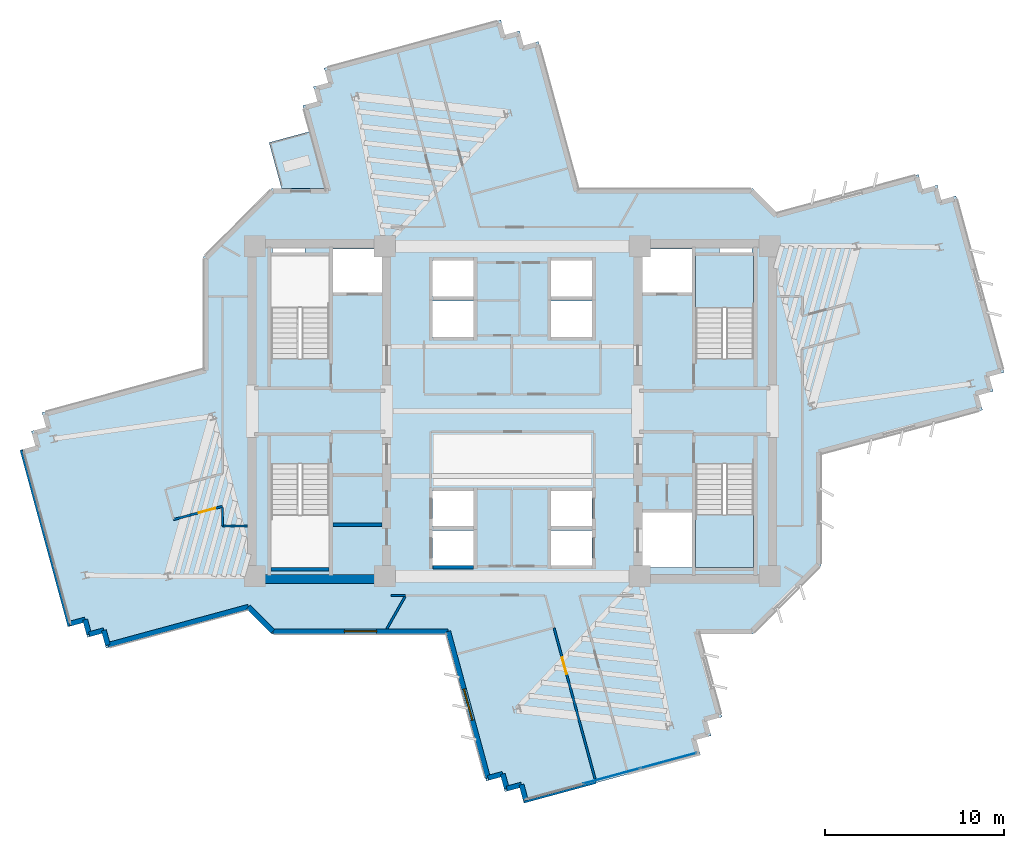
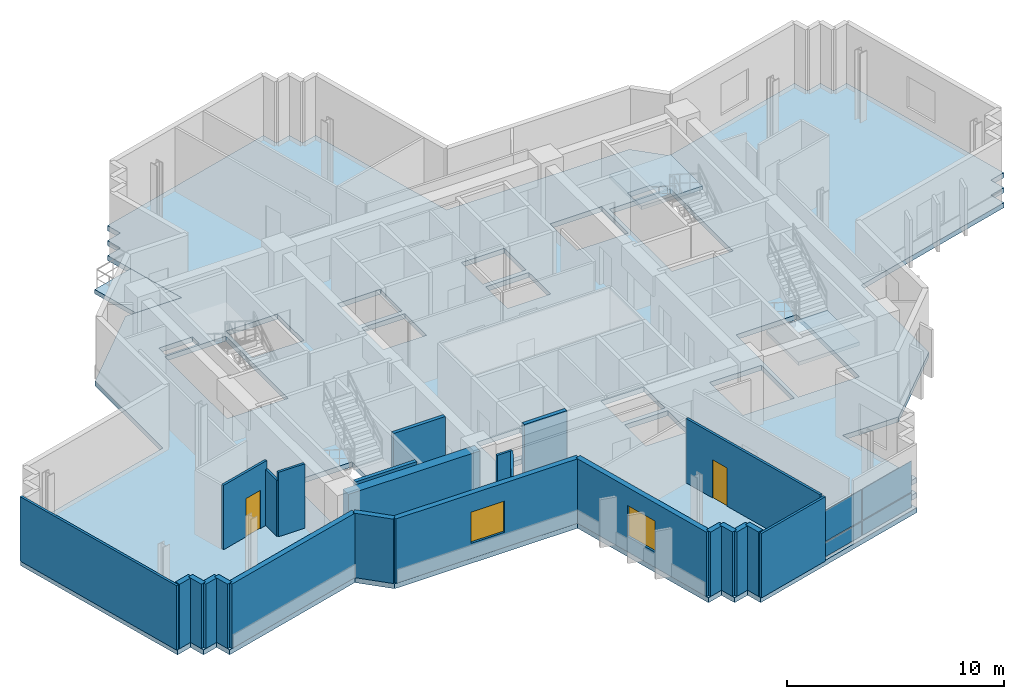
# One storey, part 7 of 15: 24 walls, 4 plates, 4 slabs, 2 doors, 2 windows, 4 openings, 3 elements without a shape of their own.
"""IFC4 building model written with IfcOpenShell, lengths in metres."""

from ifc_helpers import new_model, si_unit, direction, frame, frame_2d, origin, origin_2d, place, context, subcontext, project, spatial, polyline, rectangle, outline, extrude, source, transform, mapped, material, layer, layer_set, type_object, element, fill, aggregate, save


model = new_model("IFC4")

# Units and contexts
model_context = context("Model", 3, precision=1e-05, world=origin(), true_north=direction((0.0, 1.0)))
body_context = subcontext(model_context, "Body", "Model", "MODEL_VIEW")
ifc_project = project(units=[si_unit("LENGTHUNIT", "METRE"), si_unit("AREAUNIT", "SQUARE_METRE"), si_unit("VOLUMEUNIT", "CUBIC_METRE"), si_unit("PLANEANGLEUNIT", "RADIAN"), si_unit("MASSUNIT", "GRAM", prefix="KILO")], contexts=[model_context])

# Site, building, storey
site_placement = place(None, origin())
site = spatial("IfcSite", under=ifc_project, at=site_placement, CompositionType="ELEMENT")
building_placement = place(site_placement, origin())
building = spatial("IfcBuilding", under=site, at=building_placement, Name="Zahravan Cultural Tower", CompositionType="ELEMENT")
storey_placement = place(building_placement, frame((0.0, 0.0, 194.10009765625)))
storey = spatial("IfcBuildingStorey", under=building, at=storey_placement, Name="L45", CompositionType="ELEMENT", Elevation=194.10009765625)

# Slab
ifc_material_1 = material(Name="Concrete C45/55", Category="concrete")
ifc_layer_1 = layer(ifc_material_1, 0.280029296875)
ifc_layer_set_1 = layer_set([ifc_layer_1], Name="Concrete C45/55")
slab_type_1 = type_object("IfcSlabType", Name="SL-LIB-280", PredefinedType="FLOOR", material=ifc_layer_set_1)
slab_1_placement = place(storey_placement, frame((0.0, 0.0, -0.280029296875)))
element("IfcSlab", 1, at=slab_1_placement, inside=storey, type_object=slab_type_1, Name="L45 Structural Floor Slab", PredefinedType="FLOOR", context=body_context, shape_type="SweptSolid", body=[
    extrude(outline(polyline([(50.746826171875, 38.05322265625), (49.39990234375, 39.39990234375), (39.677490234375, 39.39990234375), (37.449462890625, 47.6005859375), (36.629150390625, 47.377685546875), (36.40625, 48.197998046875), (35.5859375, 47.975341796875), (35.36328125, 48.79541015625), (25.52001953125, 46.12109375), (25.742919921875, 45.30078125), (24.922607421875, 45.078125), (25.1455078125, 44.2578125), (24.3251953125, 44.034912109375), (25.58447265625, 39.39990234375), (22.60009765625, 39.39990234375), (18.800048828125, 35.60009765625), (18.800048828125, 29.373291015625), (9.80224609375, 26.9287109375), (10.025146484375, 26.1083984375), (9.204833984375, 25.885498046875), (9.427734375, 25.065185546875), (8.607421875, 24.842529296875), (11.28173828125, 14.999267578125), (12.10205078125, 15.22216796875), (12.32470703125, 14.40185546875), (13.14501953125, 14.624755859375), (13.367919921875, 13.804443359375), (21.253173828125, 15.94677734375), (22.60009765625, 14.60009765625), (32.322509765625, 14.60009765625), (34.550537109375, 6.3994140625), (35.370849609375, 6.622314453125), (35.59375, 5.802001953125), (36.4140625, 6.024658203125), (36.63671875, 5.20458984375), (46.47998046875, 7.87890625), (46.257080078125, 8.69921875), (47.077392578125, 8.921875), (46.8544921875, 9.7421875), (47.6748046875, 9.965087890625), (46.41552734375, 14.60009765625), (49.39990234375, 14.60009765625), (53.199951171875, 18.39990234375), (53.199951171875, 24.626708984375), (62.19775390625, 27.0712890625), (61.974853515625, 27.8916015625), (62.795166015625, 28.114501953125), (62.572265625, 28.934814453125), (63.392578125, 29.157470703125), (60.71826171875, 39.000732421875), (59.89794921875, 38.77783203125), (59.67529296875, 39.59814453125), (58.85498046875, 39.375244140625), (58.632080078125, 40.195556640625), (50.746826171875, 38.05322265625)]), holes=[polyline([(22.550048828125, 29.949951171875), (22.550048828125, 35.699951171875), (25.800048828125, 35.699951171875), (25.800048828125, 29.949951171875), (22.550048828125, 29.949951171875)]), polyline([(22.550048828125, 18.300048828125), (22.550048828125, 24.050048828125), (25.800048828125, 24.050048828125), (25.800048828125, 18.300048828125), (22.550048828125, 18.300048828125)]), polyline([(46.199951171875, 29.949951171875), (46.199951171875, 35.699951171875), (49.449951171875, 35.699951171875), (49.449951171875, 29.949951171875), (46.199951171875, 29.949951171875)]), polyline([(46.199951171875, 18.300048828125), (46.199951171875, 24.050048828125), (49.449951171875, 24.050048828125), (49.449951171875, 18.300048828125), (46.199951171875, 18.300048828125)]), polyline([(26.0, 33.60009765625), (26.0, 36.050048828125), (28.75, 36.050048828125), (28.75, 33.60009765625), (26.0, 33.60009765625)]), polyline([(43.25, 33.60009765625), (43.25, 36.050048828125), (46.0, 36.050048828125), (46.0, 33.60009765625), (43.25, 33.60009765625)]), polyline([(43.25, 18.300048828125), (43.25, 21.35009765625), (46.0, 21.35009765625), (46.0, 18.300048828125), (43.25, 18.300048828125)]), polyline([(31.550048828125, 33.39990234375), (31.550048828125, 35.39990234375), (33.85009765625, 35.39990234375), (33.85009765625, 33.39990234375), (31.550048828125, 33.39990234375)]), polyline([(31.550048828125, 31.14990234375), (31.550048828125, 33.14990234375), (33.85009765625, 33.14990234375), (33.85009765625, 31.14990234375), (31.550048828125, 31.14990234375)]), polyline([(38.14990234375, 33.39990234375), (38.14990234375, 35.39990234375), (40.449951171875, 35.39990234375), (40.449951171875, 33.39990234375), (38.14990234375, 33.39990234375)]), polyline([(38.14990234375, 31.14990234375), (38.14990234375, 33.14990234375), (40.449951171875, 33.14990234375), (40.449951171875, 31.14990234375), (38.14990234375, 31.14990234375)]), polyline([(31.550048828125, 20.60009765625), (31.550048828125, 22.550048828125), (33.85009765625, 22.550048828125), (33.85009765625, 20.60009765625), (31.550048828125, 20.60009765625)]), polyline([(31.550048828125, 18.39990234375), (31.550048828125, 20.35009765625), (33.85009765625, 20.35009765625), (33.85009765625, 18.39990234375), (31.550048828125, 18.39990234375)]), polyline([(38.14990234375, 20.60009765625), (38.14990234375, 22.550048828125), (40.449951171875, 22.550048828125), (40.449951171875, 20.60009765625), (38.14990234375, 20.60009765625)]), polyline([(38.14990234375, 18.39990234375), (38.14990234375, 20.35009765625), (40.449951171875, 20.35009765625), (40.449951171875, 18.39990234375), (38.14990234375, 18.39990234375)]), polyline([(22.64990234375, 35.800048828125), (22.64990234375, 36.419921875), (24.449951171875, 36.419921875), (24.449951171875, 35.800048828125), (22.64990234375, 35.800048828125)]), polyline([(47.550048828125, 35.800048828125), (47.550048828125, 36.419921875), (49.35009765625, 36.419921875), (49.35009765625, 35.800048828125), (47.550048828125, 35.800048828125)])]), origin(), (0.0, 0.0, 1.0), 0.280029296875),
])

# Stair, slab
stair_type = type_object("IfcStairType", Name="STR-DL-1550-390", PredefinedType="HALF_TURN_STAIR", material=ifc_material_1)
stair_1_placement = place(storey_placement, origin())
stair_1 = element("IfcStair", 2, at=stair_1_placement, inside=storey, type_object=stair_type, Name="L45 East Core North Exit Stair ST-E1", PredefinedType="HALF_TURN_STAIR")
ifc_layer_2 = layer(ifc_material_1, 0.199951171875)
ifc_layer_set_2 = layer_set([ifc_layer_2], Name="Concrete C45/55")
slab_type_2 = type_object("IfcSlabType", Name="SL-STAIR-LND200", PredefinedType="LANDING", material=ifc_layer_set_2)
slab_2_placement = place(storey_placement, frame((0.0, 0.0, 1.75)))
slab_2 = element("IfcSlab", 3, at=slab_2_placement, type_object=slab_type_2, Name="ST-E1 landing 1", PredefinedType="LANDING", context=body_context, shape_type="SweptSolid", body=[
    extrude(outline(polyline([(49.449951171875, 32.75), (49.449951171875, 35.699951171875), (46.199951171875, 35.699951171875), (46.199951171875, 32.75), (49.449951171875, 32.75)])), origin(), (0.0, 0.0, 1.0), 0.199951171875),
])
aggregate(stair_1, [slab_2])

stair_2_placement = place(storey_placement, origin())
stair_2 = element("IfcStair", 4, at=stair_2_placement, inside=storey, type_object=stair_type, Name="L45 East Core South Exit Stair ST-E2", PredefinedType="HALF_TURN_STAIR")
slab_3_placement = place(storey_placement, frame((0.0, 0.0, 1.75)))
slab_3 = element("IfcSlab", 5, at=slab_3_placement, type_object=slab_type_2, Name="ST-E2 landing 1", PredefinedType="LANDING", context=body_context, shape_type="SweptSolid", body=[
    extrude(outline(polyline([(46.199951171875, 21.25), (46.199951171875, 18.300048828125), (49.449951171875, 18.300048828125), (49.449951171875, 21.25), (46.199951171875, 21.25)])), origin(), (0.0, 0.0, 1.0), 0.199951171875),
])
aggregate(stair_2, [slab_3])

# Slab
ifc_material_2 = material(Name="Concrete C40/50", Category="concrete")
ifc_layer_3 = layer(ifc_material_2, 0.239990234375)
ifc_layer_set_3 = layer_set([ifc_layer_3], Name="Concrete C40/50")
slab_type_3 = type_object("IfcSlabType", Name="SL-TERR-240", PredefinedType="FLOOR", material=ifc_layer_set_3)
slab_4_placement = place(storey_placement, frame((0.0, 0.0, -0.239990234375)))
element("IfcSlab", 6, at=slab_4_placement, inside=storey, type_object=slab_type_3, Name="L45 Planted Sculpture Terrace NW", PredefinedType="FLOOR", context=body_context, shape_type="SweptSolid", body=[
    extrude(outline(polyline([(22.45068359375, 41.97119140625), (23.14794921875, 39.405029296875), (25.577880859375, 39.405029296875), (24.713623046875, 42.586181640625), (22.45068359375, 41.97119140625)])), origin(), (0.0, 0.0, 1.0), 0.239990234375),
])

# Curtain wall, plates
ifc_material_3 = material(Name="Anodised bronze-aluminium mullion", Category="aluminium")
ifc_layer_4 = layer(ifc_material_3, 0.179931640625)
ifc_layer_set_4 = layer_set([ifc_layer_4], Name="Anodised bronze-aluminium mullion")
curtain_wall_type = type_object("IfcCurtainWallType", Name="CW-SYS-3", PredefinedType="USERDEFINED", material=ifc_layer_set_4)
curtain_wall_placement = place(storey_placement, origin())
curtain_wall = element("IfcCurtainWall", 7, at=curtain_wall_placement, inside=storey, type_object=curtain_wall_type, Name="L45 Recessed Curtain Wall CW-3.1", ObjectType="RECESSED GLAZING", PredefinedType="USERDEFINED")
ifc_material_4 = material(Name="Low-E solar-control double glazing", Category="glass")
ifc_layer_5 = layer(ifc_material_4, 0.028076171875)
ifc_layer_set_5 = layer_set([ifc_layer_5], Name="Low-E solar-control double glazing")
plate_type = type_object("IfcPlateType", Name="CWP-CW-3", PredefinedType="CURTAIN_PANEL", material=ifc_layer_set_5)
shared_shape_1 = source(origin(), body_context, "Body", "SweptSolid", [
    extrude(rectangle(XDim=3.20166015625, YDim=0.028076171875, at=origin_2d()), origin(), (0.0, 0.0, 1.0), 0.794921875),
])
plate_1_placement = place(storey_placement, frame((44.69580078125, 7.5390625, 0.06982421875), z_axis=(0.0, 0.0, 1.0), x_axis=(-0.96501717126, -0.262186687636, 0.0)))
plate_1 = element("IfcPlate", 8, at=plate_1_placement, type_object=plate_type, Name="CW-3 panel 1.1", PredefinedType="CURTAIN_PANEL", context=body_context, shape_type="MappedRepresentation", body=[
    mapped(shared_shape_1, transform((0.0, 0.0, 0.0), x_axis=(1.0, 0.0, 0.0), y_axis=(0.0, 1.0, 0.0), z_axis=(0.0, 0.0, 1.0), scale=1.0)),
])
shared_shape_2 = source(origin(), body_context, "Body", "SweptSolid", [
    extrude(rectangle(XDim=3.20166015625, YDim=0.028076171875, at=origin_2d()), origin(), (0.0, 0.0, 1.0), 1.735107421875),
])
plate_2_placement = place(storey_placement, frame((44.69580078125, 7.5390625, 0.93505859375), z_axis=(0.0, 0.0, 1.0), x_axis=(-0.96501717126, -0.262186687636, 0.0)))
plate_2 = element("IfcPlate", 9, at=plate_2_placement, type_object=plate_type, Name="CW-3 panel 1.2", PredefinedType="CURTAIN_PANEL", context=body_context, shape_type="MappedRepresentation", body=[
    mapped(shared_shape_2, transform((0.0, 0.0, 0.0), x_axis=(1.0, 0.0, 0.0), y_axis=(0.0, 1.0, 0.0), z_axis=(0.0, 0.0, 1.0), scale=1.0)),
])
shared_shape_3 = source(origin(), body_context, "Body", "SweptSolid", [
    extrude(rectangle(XDim=3.236572265625, YDim=0.028076171875, at=origin_2d()), origin(), (0.0, 0.0, 1.0), 0.794921875),
])
plate_3_placement = place(storey_placement, frame((41.521728515625, 6.6767578125, 0.06982421875), z_axis=(0.0, 0.0, 1.0), x_axis=(-0.96501717126, -0.262186687636, 0.0)))
plate_3 = element("IfcPlate", 10, at=plate_3_placement, type_object=plate_type, Name="CW-3 panel 2.1", PredefinedType="CURTAIN_PANEL", context=body_context, shape_type="MappedRepresentation", body=[
    mapped(shared_shape_3, transform((0.0, 0.0, 0.0), x_axis=(1.0, 0.0, 0.0), y_axis=(0.0, 1.0, 0.0), z_axis=(0.0, 0.0, 1.0), scale=1.0)),
])
shared_shape_4 = source(origin(), body_context, "Body", "SweptSolid", [
    extrude(rectangle(XDim=3.236572265625, YDim=0.028076171875, at=origin_2d()), origin(), (0.0, 0.0, 1.0), 1.735107421875),
])
plate_4_placement = place(storey_placement, frame((41.521728515625, 6.6767578125, 0.93505859375), z_axis=(0.0, 0.0, 1.0), x_axis=(-0.96501717126, -0.262186687636, 0.0)))
plate_4 = element("IfcPlate", 11, at=plate_4_placement, type_object=plate_type, Name="CW-3 panel 2.2", PredefinedType="CURTAIN_PANEL", context=body_context, shape_type="MappedRepresentation", body=[
    mapped(shared_shape_4, transform((0.0, 0.0, 0.0), x_axis=(1.0, 0.0, 0.0), y_axis=(0.0, 1.0, 0.0), z_axis=(0.0, 0.0, 1.0), scale=1.0)),
])
aggregate(curtain_wall, [plate_1, plate_2, plate_3, plate_4])

# Wall, opening, window
ifc_material_5 = material(Name="Precast concrete C40/50", Category="concrete")
ifc_layer_6 = layer(ifc_material_5, 0.280029296875)
ifc_layer_set_6 = layer_set([ifc_layer_6], Name="Precast concrete C40/50")
wall_type_1 = type_object("IfcWallType", Name="EW-TC-280", PredefinedType="SOLIDWALL", material=ifc_layer_set_6)
wall_1_placement = place(storey_placement, frame((34.64892578125, 6.571044921875, 0.0), z_axis=(0.0, 0.0, 1.0), x_axis=(-0.262192380254, 0.965015624608, 0.0)))
wall_1 = element("IfcWall", 12, at=wall_1_placement, inside=storey, type_object=wall_type_1, Name="L45 Exterior Masonry Frame Wall 24", PredefinedType="SOLIDWALL", context=body_context, shape_type="SweptSolid", body=[
    extrude(rectangle(XDim=8.465087890625, YDim=0.280029296875, at=frame_2d((4.232421875, 0.0))), origin(), (0.0, 0.0, 1.0), 3.619873046875),
])
opening_1_placement = place(wall_1_placement, frame((3.3330078125, 0.0, 0.85009765625)))
opening_1 = element("IfcOpeningElement", 13, at=opening_1_placement, cuts=wall_1, Name="Opening WN-02", PredefinedType="OPENING", context=body_context, shape_type="SweptSolid", body=[
    extrude(rectangle(XDim=1.800048828125, YDim=1.75, at=frame_2d((0.89990234375, 0.875))), frame((0.0, 0.14990234375, 0.0), z_axis=(0.0, -1.0, 0.0), x_axis=(1.0, 0.0, 0.0)), (0.0, 0.0, 1.0), 0.300048828125),
])
window_type = type_object("IfcWindowType", Name="WN-REC-1800X1750", PartitioningType="DOUBLE_PANEL_VERTICAL", PredefinedType="WINDOW", material=ifc_material_4)
shared_shape_5 = source(origin(), body_context, "Body", "SweptSolid", [
    extrude(rectangle(XDim=1.800048828125, YDim=1.75, at=frame_2d((0.89990234375, 0.875))), frame((0.0, 0.030029296875, 0.0), z_axis=(0.0, -1.0, 0.0), x_axis=(1.0, 0.0, 0.0)), (0.0, 0.0, 1.0), 0.06005859375),
])
window_1_placement = place(opening_1_placement, origin())
window_1 = element("IfcWindow", 14, at=window_1_placement, inside=storey, type_object=window_type, Name="L45 Recessed Solar Window 07", OverallHeight=1.75, OverallWidth=1.800048828125, PartitioningType="DOUBLE_PANEL_VERTICAL", PredefinedType="WINDOW", context=body_context, shape_type="MappedRepresentation", body=[
    mapped(shared_shape_5, transform((0.0, 0.0, 0.0), x_axis=(1.0, 0.0, 0.0), y_axis=(0.0, 1.0, 0.0), z_axis=(0.0, 0.0, 1.0), scale=1.0)),
])
fill(opening_1, window_1)

wall_2_placement = place(storey_placement, frame((32.429443359375, 14.739990234375, 0.0), z_axis=(0.0, 0.0, 1.0), x_axis=(-1.0, 0.0, 0.0)))
wall_2 = element("IfcWall", 15, at=wall_2_placement, inside=storey, type_object=wall_type_1, Name="L45 Exterior Masonry Frame Wall 25", PredefinedType="SOLIDWALL", context=body_context, shape_type="SweptSolid", body=[
    extrude(rectangle(XDim=9.771484375, YDim=0.280029296875, at=frame_2d((4.8857421875, 0.0))), origin(), (0.0, 0.0, 1.0), 3.619873046875),
])
opening_2_placement = place(wall_2_placement, frame((3.986083984375, 0.0, 0.85009765625)))
opening_2 = element("IfcOpeningElement", 16, at=opening_2_placement, cuts=wall_2, Name="Opening WN-02", PredefinedType="OPENING", context=body_context, shape_type="SweptSolid", body=[
    extrude(rectangle(XDim=1.800048828125, YDim=1.75, at=frame_2d((0.89990234375, 0.875))), frame((0.0, 0.14990234375, 0.0), z_axis=(0.0, -1.0, 0.0), x_axis=(1.0, 0.0, 0.0)), (0.0, 0.0, 1.0), 0.300048828125),
])
window_2_placement = place(opening_2_placement, origin())
window_2 = element("IfcWindow", 17, at=window_2_placement, inside=storey, type_object=window_type, Name="L45 Recessed Solar Window 08", OverallHeight=1.75, OverallWidth=1.800048828125, PartitioningType="DOUBLE_PANEL_VERTICAL", PredefinedType="WINDOW", context=body_context, shape_type="MappedRepresentation", body=[
    mapped(shared_shape_5, transform((0.0, 0.0, 0.0), x_axis=(1.0, 0.0, 0.0), y_axis=(0.0, 1.0, 0.0), z_axis=(0.0, 0.0, 1.0), scale=1.0)),
])
fill(opening_2, window_2)

# Wall, opening, door
ifc_material_6 = material(Name="Gypsum plasterboard partition")
ifc_layer_7 = layer(ifc_material_6, 0.125)
ifc_layer_set_7 = layer_set([ifc_layer_7], Name="Gypsum plasterboard partition")
wall_type_2 = type_object("IfcWallType", Name="W-PART-125", PredefinedType="PARTITIONING", material=ifc_layer_set_7)
wall_3_placement = place(storey_placement, frame((38.329345703125, 14.91796875, 0.0), z_axis=(0.0, 0.0, 1.0), x_axis=(0.262166936223, -0.965022537328, 0.0)))
wall_3 = element("IfcWall", 18, at=wall_3_placement, inside=storey, type_object=wall_type_2, Name="L45 Interior Wall 085", PredefinedType="PARTITIONING", context=body_context, shape_type="SweptSolid", body=[
    extrude(rectangle(XDim=8.695068359375, YDim=0.125, at=frame_2d((4.34765625, 0.0))), origin(), (0.0, 0.0, 1.0), 3.619873046875),
])
opening_3_placement = place(wall_3_placement, frame((1.703857421875, 0.0, 0.0)))
opening_3 = element("IfcOpeningElement", 19, at=opening_3_placement, cuts=wall_3, Name="Opening D-L45-26", PredefinedType="OPENING", context=body_context, shape_type="SweptSolid", body=[
    extrude(rectangle(XDim=0.949951171875, YDim=2.14990234375, at=frame_2d((0.47509765625, 1.074951171875))), frame((0.0, 0.072509765625, 0.0), z_axis=(0.0, -1.0, 0.0), x_axis=(1.0, 0.0, 0.0)), (0.0, 0.0, 1.0), 0.14501953125),
])
door_type = type_object("IfcDoorType", Name="DR-ROOM-950", OperationType="NOTDEFINED", PredefinedType="DOOR", material=ifc_material_3)
shared_shape_6 = source(origin(), body_context, "Body", "SweptSolid", [
    extrude(rectangle(XDim=0.949951171875, YDim=2.14990234375, at=frame_2d((0.47509765625, 1.074951171875))), frame((0.0, 0.02490234375, 0.0), z_axis=(0.0, -1.0, 0.0), x_axis=(1.0, 0.0, 0.0)), (0.0, 0.0, 1.0), 0.050048828125),
])
door_1_placement = place(opening_3_placement, origin())
door_1 = element("IfcDoor", 20, at=door_1_placement, inside=storey, type_object=door_type, Name="L45 Door D-L45-26", OperationType="SINGLE_SWING_RIGHT", OverallHeight=2.14990234375, OverallWidth=0.949951171875, PredefinedType="DOOR", context=body_context, shape_type="MappedRepresentation", body=[
    mapped(shared_shape_6, transform((0.0, 0.0, 0.0), x_axis=(1.0, 0.0, 0.0), y_axis=(0.0, 1.0, 0.0), z_axis=(0.0, 0.0, 1.0), scale=1.0)),
])
fill(opening_3, door_1)

wall_4_placement = place(storey_placement, frame((17.127197265625, 20.96337890625, 0.0), z_axis=(0.0, 0.0, 1.0), x_axis=(0.965283220267, 0.261205483616, 0.0)))
wall_4 = element("IfcWall", 21, at=wall_4_placement, inside=storey, type_object=wall_type_2, Name="L45 Interior Wall 095", PredefinedType="PARTITIONING", context=body_context, shape_type="SweptSolid", body=[
    extrude(rectangle(XDim=2.82080078125, YDim=0.125, at=frame_2d((1.410400390625, 0.0))), origin(), (0.0, 0.0, 1.0), 3.619873046875),
])
opening_4_placement = place(wall_4_placement, frame((1.458984375, 0.0, 0.0)))
opening_4 = element("IfcOpeningElement", 22, at=opening_4_placement, cuts=wall_4, Name="Opening D-L45-24", PredefinedType="OPENING", context=body_context, shape_type="SweptSolid", body=[
    extrude(rectangle(XDim=0.949951171875, YDim=2.14990234375, at=frame_2d((0.47509765625, 1.074951171875))), frame((0.0, 0.072509765625, 0.0), z_axis=(0.0, -1.0, 0.0), x_axis=(1.0, 0.0, 0.0)), (0.0, 0.0, 1.0), 0.14501953125),
])
door_2_placement = place(opening_4_placement, origin())
door_2 = element("IfcDoor", 23, at=door_2_placement, inside=storey, type_object=door_type, Name="L45 Door D-L45-24", OperationType="SINGLE_SWING_RIGHT", OverallHeight=2.14990234375, OverallWidth=0.949951171875, PredefinedType="DOOR", context=body_context, shape_type="MappedRepresentation", body=[
    mapped(shared_shape_6, transform((0.0, 0.0, 0.0), x_axis=(1.0, 0.0, 0.0), y_axis=(0.0, 1.0, 0.0), z_axis=(0.0, 0.0, 1.0), scale=1.0)),
])
fill(opening_4, door_2)

# Walls
ifc_material_7 = material(Name="Concrete C60/75", Category="concrete")
ifc_layer_8 = layer(ifc_material_7, 0.5)
ifc_layer_set_8 = layer_set([ifc_layer_8], Name="Concrete C60/75")
wall_type_3 = type_object("IfcWallType", Name="CW-SHEAR-500-C60", PredefinedType="SHEAR", material=ifc_layer_set_8)
shared_shape_7 = source(origin(), body_context, "Body", "SweptSolid", [
    extrude(rectangle(XDim=7.0, YDim=0.5, at=frame_2d((3.5, 0.0))), origin(), (0.0, 0.0, 1.0), 3.619873046875),
])
wall_5_placement = place(storey_placement, frame((21.75, 17.64990234375, 0.0), z_axis=(0.0, 0.0, 1.0), x_axis=(1.0, 0.0, 0.0)))
element("IfcWall", 24, at=wall_5_placement, inside=storey, type_object=wall_type_3, Name="L45 Core Shear Wall CW-W-S-L45", PredefinedType="SHEAR", context=body_context, shape_type="MappedRepresentation", body=[
    mapped(shared_shape_7, transform((0.0, 0.0, 0.0), x_axis=(1.0, 0.0, 0.0), y_axis=(0.0, 1.0, 0.0), z_axis=(0.0, 0.0, 1.0), scale=1.0)),
])
shared_shape_8 = source(origin(), body_context, "Body", "SweptSolid", [
    extrude(rectangle(XDim=0.85009765625, YDim=0.280029296875, at=frame_2d((0.425048828125, 0.0))), origin(), (0.0, 0.0, 1.0), 3.619873046875),
])
for number, where, z_axis, x_axis, name in (
    (25, (36.735107421875, 5.376220703125, 0.0), (0.0, 0.0, 1.0), (-0.261950631675, 0.965081274591, 0.0), "L45 Exterior Masonry Frame Wall 20"),
    (26, (36.512451171875, 6.196533203125, 0.0), (0.0, 0.0, 1.0), (-0.965008631059, -0.262218119094, 0.0), "L45 Exterior Masonry Frame Wall 21"),
    (27, (35.692138671875, 5.9736328125, 0.0), (0.0, 0.0, 1.0), (-0.262218119094, 0.965008631059, 0.0), "L45 Exterior Masonry Frame Wall 22"),
    (28, (35.46923828125, 6.7939453125, 0.0), (0.0, 0.0, 1.0), (-0.965008631059, -0.262218119094, 0.0), "L45 Exterior Masonry Frame Wall 23"),
    (29, (13.46630859375, 13.976318359375, 0.0), (0.0, 0.0, 1.0), (-0.262218119094, 0.965008631059, 0.0), "L45 Exterior Masonry Frame Wall 28"),
    (30, (13.243408203125, 14.796630859375, 0.0), (0.0, 0.0, 1.0), (-0.965008631059, -0.262218119094, 0.0), "L45 Exterior Masonry Frame Wall 29"),
    (31, (12.423095703125, 14.57373046875, 0.0), (0.0, 0.0, 1.0), (-0.261950631675, 0.965081274591, 0.0), "L45 Exterior Masonry Frame Wall 30"),
    (32, (12.200439453125, 15.39404296875, 0.0), (0.0, 0.0, 1.0), (-0.965008631059, -0.262218119094, 0.0), "L45 Exterior Masonry Frame Wall 31"),
):
    element("IfcWall", number, at=place(storey_placement, frame(where, z_axis=z_axis, x_axis=x_axis)), inside=storey, type_object=wall_type_1, Name=name, PredefinedType="SOLIDWALL", context=body_context, shape_type="MappedRepresentation", body=[
        mapped(shared_shape_8, transform((0.0, 0.0, 0.0), x_axis=(1.0, 0.0, 0.0), y_axis=(0.0, 1.0, 0.0), z_axis=(0.0, 0.0, 1.0), scale=1.0)),
    ])
shared_shape_9 = source(origin(), body_context, "Body", "SweptSolid", [
    extrude(rectangle(XDim=1.927734375, YDim=0.280029296875, at=frame_2d((0.9638671875, 0.0))), origin(), (0.0, 0.0, 1.0), 3.619873046875),
])
wall_6_placement = place(storey_placement, frame((22.657958984375, 14.739990234375, 0.0), z_axis=(0.0, 0.0, 1.0), x_axis=(-0.707043457246, 0.707170099456, 0.0)))
element("IfcWall", 33, at=wall_6_placement, inside=storey, type_object=wall_type_1, Name="L45 Exterior Masonry Frame Wall 26", PredefinedType="SOLIDWALL", context=body_context, shape_type="MappedRepresentation", body=[
    mapped(shared_shape_9, transform((0.0, 0.0, 0.0), x_axis=(1.0, 0.0, 0.0), y_axis=(0.0, 1.0, 0.0), z_axis=(0.0, 0.0, 1.0), scale=1.0)),
])
shared_shape_10 = source(origin(), body_context, "Body", "SweptSolid", [
    extrude(rectangle(XDim=8.1123046875, YDim=0.280029296875, at=frame_2d((4.05615234375, 0.0))), origin(), (0.0, 0.0, 1.0), 3.619873046875),
])
wall_7_placement = place(storey_placement, frame((21.294921875, 16.103271484375, 0.0), z_axis=(0.0, 0.0, 1.0), x_axis=(-0.965017555758, -0.262185272431, 0.0)))
element("IfcWall", 34, at=wall_7_placement, inside=storey, type_object=wall_type_1, Name="L45 Exterior Masonry Frame Wall 27", PredefinedType="SOLIDWALL", context=body_context, shape_type="MappedRepresentation", body=[
    mapped(shared_shape_10, transform((0.0, 0.0, 0.0), x_axis=(1.0, 0.0, 0.0), y_axis=(0.0, 1.0, 0.0), z_axis=(0.0, 0.0, 1.0), scale=1.0)),
])
ifc_layer_9 = layer(ifc_material_1, 0.199951171875)
ifc_layer_set_9 = layer_set([ifc_layer_9], Name="Concrete C45/55")
wall_type_4 = type_object("IfcWallType", Name="W-SHAFT-200", PredefinedType="SOLIDWALL", material=ifc_layer_set_9)
shared_shape_11 = source(origin(), body_context, "Body", "SweptSolid", [
    extrude(rectangle(XDim=3.25, YDim=0.199951171875, at=frame_2d((1.625, 0.0))), origin(), (0.0, 0.0, 1.0), 3.619873046875),
])
wall_8_placement = place(storey_placement, frame((22.550048828125, 18.199951171875, 0.0), z_axis=(0.0, 0.0, 1.0), x_axis=(1.0, 0.0, 0.0)))
element("IfcWall", 35, at=wall_8_placement, inside=storey, type_object=wall_type_4, Name="L45 Interior Wall 019", PredefinedType="SOLIDWALL", context=body_context, shape_type="MappedRepresentation", body=[
    mapped(shared_shape_11, transform((0.0, 0.0, 0.0), x_axis=(1.0, 0.0, 0.0), y_axis=(0.0, 1.0, 0.0), z_axis=(0.0, 0.0, 1.0), scale=1.0)),
])
ifc_layer_10 = layer(ifc_material_6, 0.179931640625)
ifc_layer_set_10 = layer_set([ifc_layer_10], Name="Gypsum plasterboard partition")
wall_type_5 = type_object("IfcWallType", Name="W-COMP-180", PredefinedType="PARTITIONING", material=ifc_layer_set_10)
shared_shape_12 = source(origin(), body_context, "Body", "SweptSolid", [
    extrude(rectangle(XDim=2.75, YDim=0.179931640625, at=frame_2d((1.375, 0.0))), origin(), (0.0, 0.0, 1.0), 3.619873046875),
])
wall_9_placement = place(storey_placement, frame((26.0, 20.679931640625, 0.0), z_axis=(0.0, 0.0, 1.0), x_axis=(1.0, 0.0, 0.0)))
element("IfcWall", 36, at=wall_9_placement, inside=storey, type_object=wall_type_5, Name="L45 Interior Wall 026", PredefinedType="PARTITIONING", context=body_context, shape_type="MappedRepresentation", body=[
    mapped(shared_shape_12, transform((0.0, 0.0, 0.0), x_axis=(1.0, 0.0, 0.0), y_axis=(0.0, 1.0, 0.0), z_axis=(0.0, 0.0, 1.0), scale=1.0)),
])
shared_shape_13 = source(origin(), body_context, "Body", "SweptSolid", [
    extrude(rectangle(XDim=2.260009765625, YDim=0.199951171875, at=frame_2d((1.1298828125, 0.0))), origin(), (0.0, 0.0, 1.0), 3.619873046875),
])
wall_10_placement = place(storey_placement, frame((31.570068359375, 18.300048828125, 0.0), z_axis=(0.0, 0.0, 1.0), x_axis=(1.0, 0.0, 0.0)))
element("IfcWall", 37, at=wall_10_placement, inside=storey, type_object=wall_type_4, Name="L45 Interior Wall 048", PredefinedType="SOLIDWALL", context=body_context, shape_type="MappedRepresentation", body=[
    mapped(shared_shape_13, transform((0.0, 0.0, 0.0), x_axis=(1.0, 0.0, 0.0), y_axis=(0.0, 1.0, 0.0), z_axis=(0.0, 0.0, 1.0), scale=1.0)),
])
shared_shape_14 = source(origin(), body_context, "Body", "SweptSolid", [
    extrude(rectangle(XDim=4.159912109375, YDim=0.125, at=frame_2d((2.080078125, 0.0))), origin(), (0.0, 0.0, 1.0), 3.619873046875),
])
wall_11_placement = place(storey_placement, frame((40.665283203125, 6.319580078125, 0.0), z_axis=(0.0, 0.0, 1.0), x_axis=(-0.965023387541, -0.262163806614, 0.0)))
element("IfcWall", 38, at=wall_11_placement, inside=storey, type_object=wall_type_2, Name="L45 Interior Wall 086", PredefinedType="PARTITIONING", context=body_context, shape_type="MappedRepresentation", body=[
    mapped(shared_shape_14, transform((0.0, 0.0, 0.0), x_axis=(1.0, 0.0, 0.0), y_axis=(0.0, 1.0, 0.0), z_axis=(0.0, 0.0, 1.0), scale=1.0)),
])
shared_shape_15 = source(origin(), body_context, "Body", "SweptSolid", [
    extrude(rectangle(XDim=2.060791015625, YDim=0.125, at=frame_2d((1.0302734375, 0.0))), origin(), (0.0, 0.0, 1.0), 3.619873046875),
])
wall_12_placement = place(storey_placement, frame((29.0126953125, 14.885009765625, 0.0), z_axis=(0.0, 0.0, 1.0), x_axis=(0.492818271576, 0.870132260752, 0.0)))
element("IfcWall", 39, at=wall_12_placement, inside=storey, type_object=wall_type_2, Name="L45 Interior Wall 080", PredefinedType="PARTITIONING", context=body_context, shape_type="MappedRepresentation", body=[
    mapped(shared_shape_15, transform((0.0, 0.0, 0.0), x_axis=(1.0, 0.0, 0.0), y_axis=(0.0, 1.0, 0.0), z_axis=(0.0, 0.0, 1.0), scale=1.0)),
])
shared_shape_16 = source(origin(), body_context, "Body", "SweptSolid", [
    extrude(rectangle(XDim=1.028076171875, YDim=0.125, at=frame_2d((0.51416015625, 0.0))), origin(), (0.0, 0.0, 1.0), 3.14892578125),
])
wall_13_placement = place(storey_placement, frame((19.85009765625, 21.63037109375, 0.0), z_axis=(0.0, 0.0, 1.0), x_axis=(0.001187365584, -0.999999295081, 0.0)))
element("IfcWall", 40, at=wall_13_placement, inside=storey, type_object=wall_type_2, Name="L45 Interior Wall 096", PredefinedType="PARTITIONING", context=body_context, shape_type="MappedRepresentation", body=[
    mapped(shared_shape_16, transform((0.0, 0.0, 0.0), x_axis=(1.0, 0.0, 0.0), y_axis=(0.0, 1.0, 0.0), z_axis=(0.0, 0.0, 1.0), scale=1.0)),
])
shared_shape_17 = source(origin(), body_context, "Body", "SweptSolid", [
    extrude(rectangle(XDim=1.389892578125, YDim=0.125, at=frame_2d((0.69482421875, 0.0))), origin(), (0.0, 0.0, 1.0), 3.619873046875),
])
wall_14_placement = place(storey_placement, frame((19.855224609375, 20.602294921875, 0.0), z_axis=(0.0, 0.0, 1.0), x_axis=(0.999998750398, -0.001580886835, 0.0)))
element("IfcWall", 41, at=wall_14_placement, inside=storey, type_object=wall_type_2, Name="L45 Interior Wall 097", PredefinedType="PARTITIONING", context=body_context, shape_type="MappedRepresentation", body=[
    mapped(shared_shape_17, transform((0.0, 0.0, 0.0), x_axis=(1.0, 0.0, 0.0), y_axis=(0.0, 1.0, 0.0), z_axis=(0.0, 0.0, 1.0), scale=1.0)),
])
shared_shape_18 = source(origin(), body_context, "Body", "SweptSolid", [
    extrude(rectangle(XDim=0.791259765625, YDim=0.125, at=frame_2d((0.3955078125, 0.0))), origin(), (0.0, 0.0, 1.0), 3.619873046875),
])
wall_15_placement = place(storey_placement, frame((29.25341796875, 16.740478515625, 0.0), z_axis=(0.0, 0.0, 1.0), x_axis=(0.999999809598, -0.000617093372, 0.0)))
element("IfcWall", 42, at=wall_15_placement, inside=storey, type_object=wall_type_2, Name="L45 Interior Wall 098", PredefinedType="PARTITIONING", context=body_context, shape_type="MappedRepresentation", body=[
    mapped(shared_shape_18, transform((0.0, 0.0, 0.0), x_axis=(1.0, 0.0, 0.0), y_axis=(0.0, 1.0, 0.0), z_axis=(0.0, 0.0, 1.0), scale=1.0)),
])
shared_shape_19 = source(origin(), body_context, "Body", "SweptSolid", [
    extrude(rectangle(XDim=10.16015625, YDim=0.125, at=frame_2d((5.080078125, 0.0))), origin(), (0.0, 0.0, 1.0), 3.619873046875),
])
wall_16_placement = place(storey_placement, frame((11.295654296875, 15.02392578125, 0.0), z_axis=(0.0, 0.0, 1.0), x_axis=(-0.262161642718, 0.965023975395, 0.0)))
element("IfcWall", 43, at=wall_16_placement, inside=storey, type_object=wall_type_2, Name="L45 Interior Wall 099", PredefinedType="PARTITIONING", context=body_context, shape_type="MappedRepresentation", body=[
    mapped(shared_shape_19, transform((0.0, 0.0, 0.0), x_axis=(1.0, 0.0, 0.0), y_axis=(0.0, 1.0, 0.0), z_axis=(0.0, 0.0, 1.0), scale=1.0)),
])

save(model, "model.ifc")
